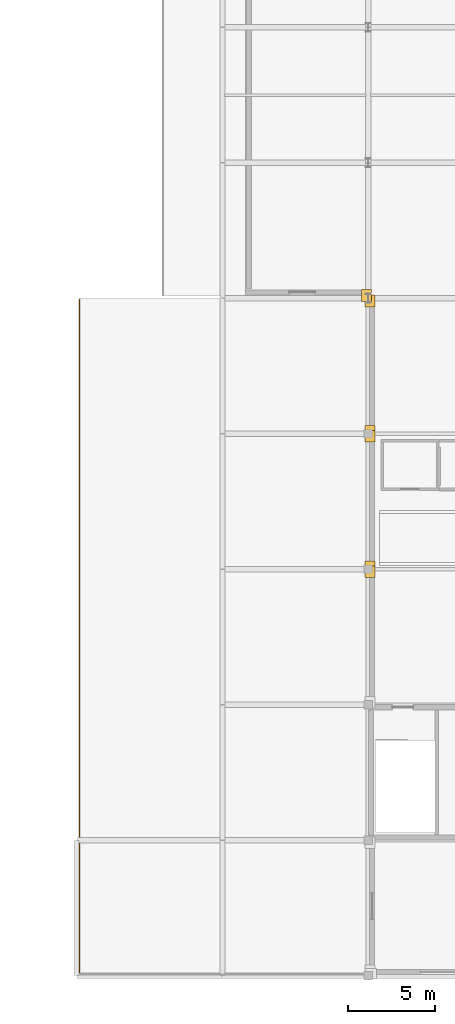
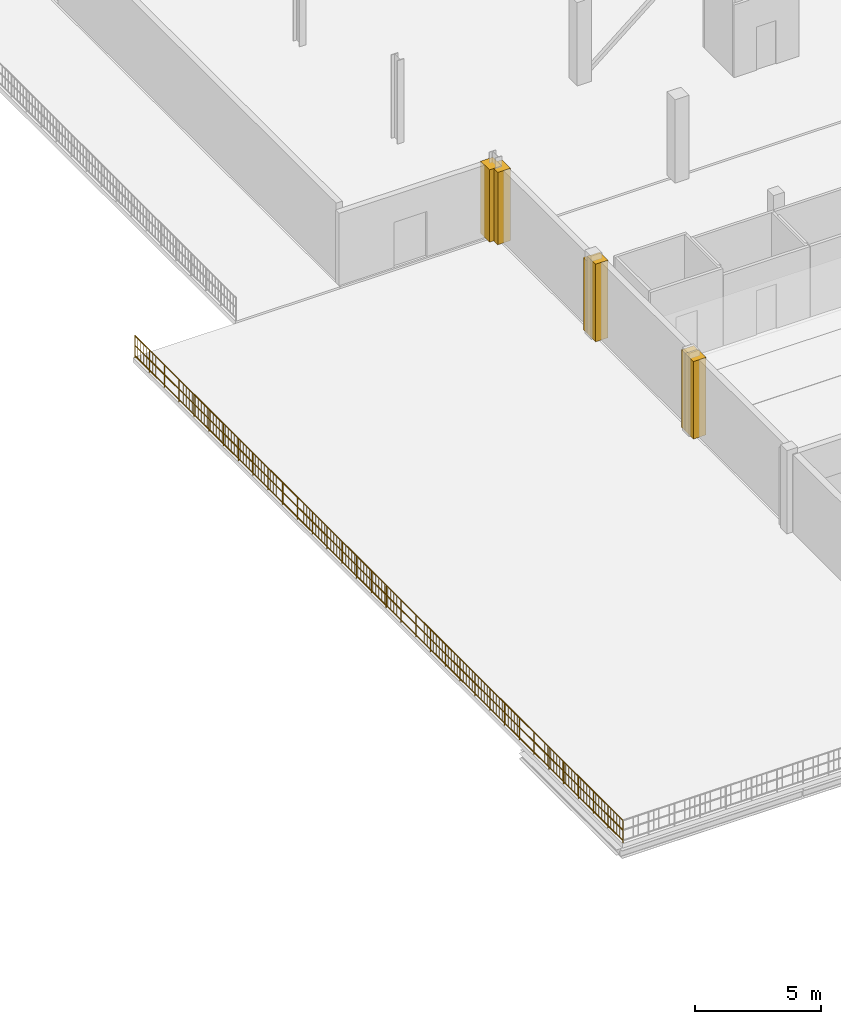
# One storey, part 35 of 41: 6 coverings, 1 railing.
"""IFC4 building model written with IfcOpenShell, lengths in metres."""

from ifc_helpers import new_model, si_unit, direction, frame, origin, origin_2d, place, context, subcontext, project, spatial, polyline, circle, outline, extrude, material, layer, layer_set, type_object, element, save


model = new_model("IFC4")

# Units and contexts
model_context = context("Model", 3, precision=1e-05, world=origin(), true_north=direction((0.0, 1.0)))
body_context = subcontext(model_context, "Body", "Model", "MODEL_VIEW")
ifc_project = project(units=[si_unit("LENGTHUNIT", "METRE"), si_unit("AREAUNIT", "SQUARE_METRE"), si_unit("VOLUMEUNIT", "CUBIC_METRE"), si_unit("PLANEANGLEUNIT", "RADIAN"), si_unit("MASSUNIT", "GRAM", prefix="KILO")], contexts=[model_context])

# Site, building, storey
site_placement = place(None, origin())
site = spatial("IfcSite", under=ifc_project, at=site_placement, CompositionType="ELEMENT")
building_placement = place(site_placement, origin())
building = spatial("IfcBuilding", under=site, at=building_placement, Name="Nabrawat Pavilion Hospital", CompositionType="ELEMENT")
storey_placement = place(building_placement, frame((0.0, 0.0, 18.89990234375)))
storey = spatial("IfcBuildingStorey", under=building, at=storey_placement, Name="L04", CompositionType="ELEMENT", Elevation=18.89990234375)

# Coverings
ifc_material_1 = material(Name="Precast concrete C40/50", Category="concrete")
ifc_layer_1 = layer(ifc_material_1, 0.360107421875, Name="Precast concrete C40/50")
ifc_layer_set_1 = layer_set([ifc_layer_1], Name="Precast concrete C40/50")
covering_type = type_object("IfcCoveringType", Name="Architectural Precast Column-Jamb Closure Reveal", PredefinedType="CLADDING", material=ifc_layer_set_1)
covering_1_placement = place(storey_placement, origin())
element("IfcCovering", 1, at=covering_1_placement, inside=storey, type_object=covering_type, Name="L04 Precast Facade Column-Jamb Weatherseal Closure 0525", PredefinedType="CLADDING", context=body_context, shape_type="SweptSolid", body=[
    extrude(outline(polyline([(142.97998046875, 38.820068359375), (142.97998046875, 39.52001953125), (142.419921875, 39.52001953125), (142.419921875, 38.820068359375), (142.97998046875, 38.820068359375)])), origin(), (0.0, 0.0, 1.0), 3.52001953125),
])
covering_2_placement = place(storey_placement, origin())
element("IfcCovering", 2, at=covering_2_placement, inside=storey, type_object=covering_type, Name="L04 Precast Facade Column-Jamb Weatherseal Closure 0540", PredefinedType="CLADDING", context=body_context, shape_type="SweptSolid", body=[
    extrude(outline(polyline([(143.199951171875, 22.919921875), (143.199951171875, 23.580078125), (142.6201171875, 23.580078125), (142.6201171875, 22.919921875), (143.199951171875, 22.919921875)])), origin(), (0.0, 0.0, 1.0), 3.77001953125),
])
covering_3_placement = place(storey_placement, origin())
element("IfcCovering", 3, at=covering_3_placement, inside=storey, type_object=covering_type, Name="L04 Precast Facade Column-Jamb Weatherseal Closure 0541", PredefinedType="CLADDING", context=body_context, shape_type="SweptSolid", body=[
    extrude(outline(polyline([(143.199951171875, 23.219970703125), (143.199951171875, 23.8798828125), (142.6201171875, 23.8798828125), (142.6201171875, 23.219970703125), (143.199951171875, 23.219970703125)])), origin(), (0.0, 0.0, 1.0), 3.77001953125),
])
covering_4_placement = place(storey_placement, origin())
element("IfcCovering", 4, at=covering_4_placement, inside=storey, type_object=covering_type, Name="L04 Precast Facade Column-Jamb Weatherseal Closure 0542", PredefinedType="CLADDING", context=body_context, shape_type="SweptSolid", body=[
    extrude(outline(polyline([(143.199951171875, 30.719970703125), (143.199951171875, 31.3798828125), (142.6201171875, 31.3798828125), (142.6201171875, 30.719970703125), (143.199951171875, 30.719970703125)])), origin(), (0.0, 0.0, 1.0), 3.77001953125),
])
covering_5_placement = place(storey_placement, origin())
element("IfcCovering", 5, at=covering_5_placement, inside=storey, type_object=covering_type, Name="L04 Precast Facade Column-Jamb Weatherseal Closure 0543", PredefinedType="CLADDING", context=body_context, shape_type="SweptSolid", body=[
    extrude(outline(polyline([(143.199951171875, 31.02001953125), (143.199951171875, 31.679931640625), (142.6201171875, 31.679931640625), (142.6201171875, 31.02001953125), (143.199951171875, 31.02001953125)])), origin(), (0.0, 0.0, 1.0), 3.52001953125),
])
covering_6_placement = place(storey_placement, origin())
element("IfcCovering", 6, at=covering_6_placement, inside=storey, type_object=covering_type, Name="L04 Precast Facade Column-Jamb Weatherseal Closure 0544", PredefinedType="CLADDING", context=body_context, shape_type="SweptSolid", body=[
    extrude(outline(polyline([(143.199951171875, 38.5), (143.199951171875, 39.179931640625), (142.6201171875, 39.179931640625), (142.6201171875, 38.5), (143.199951171875, 38.5)])), origin(), (0.0, 0.0, 1.0), 3.52001953125),
])

# Railing
ifc_material_2 = material(Name="Stainless Steel 316", Category="steel")
ifc_layer_2 = layer(ifc_material_2, 0.070068359375, Name="Stainless Steel 316")
ifc_layer_set_2 = layer_set([ifc_layer_2], Name="Stainless Steel 316")
railing_type = type_object("IfcRailingType", Name="Exterior Clinical Terrace Safety Guardrail 1100", PredefinedType="GUARDRAIL", material=ifc_layer_set_2)
railing_placement = place(storey_placement, frame((126.179931640625, 0.06005859375, 0.0)))
element("IfcRailing", 7, at=railing_placement, inside=storey, type_object=railing_type, Name="L04 Terrace Edge Safety Guardrail T_L04_V5_WEST West", PredefinedType="GUARDRAIL", context=body_context, shape_type="SweptSolid", body=[
    extrude(circle(Radius=0.02392578125, at=origin_2d()), frame((0.0, 0.0, 1.076171875), z_axis=(0.0, 1.0, 0.0), x_axis=(-1.0, 0.0, 0.0)), (0.0, 0.0, 1.0), 38.8798828125),
    extrude(circle(Radius=0.02392578125, at=origin_2d()), frame((0.0, 0.0, 0.10009765625), z_axis=(0.0, 1.0, 0.0), x_axis=(-1.0, 0.0, 0.0)), (0.0, 0.0, 1.0), 38.8798828125),
    extrude(circle(Radius=0.02392578125, at=origin_2d()), frame((0.0, 0.0, 0.60498046875), z_axis=(0.0, 1.0, 0.0), x_axis=(-1.0, 0.0, 0.0)), (0.0, 0.0, 1.0), 38.8798828125),
    extrude(circle(Radius=0.008056640625, at=origin_2d()), frame((0.0, 0.239990234375, 0.10009765625)), (0.0, 0.0, 1.0), 0.951904296875),
    extrude(circle(Radius=0.008056640625, at=origin_2d()), frame((0.0, 0.47998046875, 0.10009765625)), (0.0, 0.0, 1.0), 0.951904296875),
    extrude(circle(Radius=0.008056640625, at=origin_2d()), frame((0.0, 0.719970703125, 0.10009765625)), (0.0, 0.0, 1.0), 0.951904296875),
    extrude(circle(Radius=0.008056640625, at=origin_2d()), frame((0.0, 0.9599609375, 0.10009765625)), (0.0, 0.0, 1.0), 0.951904296875),
    extrude(circle(Radius=0.008056640625, at=origin_2d()), frame((0.0, 1.43994140625, 0.10009765625)), (0.0, 0.0, 1.0), 0.951904296875),
    extrude(circle(Radius=0.008056640625, at=origin_2d()), frame((0.0, 1.679931640625, 0.10009765625)), (0.0, 0.0, 1.0), 0.951904296875),
    extrude(circle(Radius=0.008056640625, at=origin_2d()), frame((0.0, 1.919921875, 0.10009765625)), (0.0, 0.0, 1.0), 0.951904296875),
    extrude(circle(Radius=0.008056640625, at=origin_2d()), frame((0.0, 2.159912109375, 0.10009765625)), (0.0, 0.0, 1.0), 0.951904296875),
    extrude(circle(Radius=0.008056640625, at=origin_2d()), frame((0.0, 2.639892578125, 0.10009765625)), (0.0, 0.0, 1.0), 0.951904296875),
    extrude(circle(Radius=0.008056640625, at=origin_2d()), frame((0.0, 2.8798828125, 0.10009765625)), (0.0, 0.0, 1.0), 0.951904296875),
    extrude(circle(Radius=0.008056640625, at=origin_2d()), frame((0.0, 3.119873046875, 0.10009765625)), (0.0, 0.0, 1.0), 0.951904296875),
    extrude(circle(Radius=0.008056640625, at=origin_2d()), frame((0.0, 3.360107421875, 0.10009765625)), (0.0, 0.0, 1.0), 0.951904296875),
    extrude(circle(Radius=0.008056640625, at=origin_2d()), frame((0.0, 3.60009765625, 0.10009765625)), (0.0, 0.0, 1.0), 0.951904296875),
    extrude(circle(Radius=0.008056640625, at=origin_2d()), frame((0.0, 3.840087890625, 0.10009765625)), (0.0, 0.0, 1.0), 0.951904296875),
    extrude(circle(Radius=0.008056640625, at=origin_2d()), frame((0.0, 4.080078125, 0.10009765625)), (0.0, 0.0, 1.0), 0.951904296875),
    extrude(circle(Radius=0.008056640625, at=origin_2d()), frame((0.0, 4.320068359375, 0.10009765625)), (0.0, 0.0, 1.0), 0.951904296875),
    extrude(circle(Radius=0.008056640625, at=origin_2d()), frame((0.0, 4.56005859375, 0.10009765625)), (0.0, 0.0, 1.0), 0.951904296875),
    extrude(circle(Radius=0.008056640625, at=origin_2d()), frame((0.0, 4.800048828125, 0.10009765625)), (0.0, 0.0, 1.0), 0.951904296875),
    extrude(circle(Radius=0.008056640625, at=origin_2d()), frame((0.0, 5.0400390625, 0.10009765625)), (0.0, 0.0, 1.0), 0.951904296875),
    extrude(circle(Radius=0.008056640625, at=origin_2d()), frame((0.0, 5.280029296875, 0.10009765625)), (0.0, 0.0, 1.0), 0.951904296875),
    extrude(circle(Radius=0.008056640625, at=origin_2d()), frame((0.0, 5.52001953125, 0.10009765625)), (0.0, 0.0, 1.0), 0.951904296875),
    extrude(circle(Radius=0.008056640625, at=origin_2d()), frame((0.0, 5.760009765625, 0.10009765625)), (0.0, 0.0, 1.0), 0.951904296875),
    extrude(circle(Radius=0.008056640625, at=origin_2d()), frame((0.0, 6.0, 0.10009765625)), (0.0, 0.0, 1.0), 0.951904296875),
    extrude(circle(Radius=0.008056640625, at=origin_2d()), frame((0.0, 6.239990234375, 0.10009765625)), (0.0, 0.0, 1.0), 0.951904296875),
    extrude(circle(Radius=0.008056640625, at=origin_2d()), frame((0.0, 6.47998046875, 0.10009765625)), (0.0, 0.0, 1.0), 0.951904296875),
    extrude(circle(Radius=0.008056640625, at=origin_2d()), frame((0.0, 6.719970703125, 0.10009765625)), (0.0, 0.0, 1.0), 0.951904296875),
    extrude(circle(Radius=0.008056640625, at=origin_2d()), frame((0.0, 6.9599609375, 0.10009765625)), (0.0, 0.0, 1.0), 0.951904296875),
    extrude(circle(Radius=0.008056640625, at=origin_2d()), frame((0.0, 7.199951171875, 0.10009765625)), (0.0, 0.0, 1.0), 0.951904296875),
    extrude(circle(Radius=0.008056640625, at=origin_2d()), frame((0.0, 7.43994140625, 0.10009765625)), (0.0, 0.0, 1.0), 0.951904296875),
    extrude(circle(Radius=0.008056640625, at=origin_2d()), frame((0.0, 7.679931640625, 0.10009765625)), (0.0, 0.0, 1.0), 0.951904296875),
    extrude(circle(Radius=0.008056640625, at=origin_2d()), frame((0.0, 7.919921875, 0.10009765625)), (0.0, 0.0, 1.0), 0.951904296875),
    extrude(circle(Radius=0.008056640625, at=origin_2d()), frame((0.0, 8.159912109375, 0.10009765625)), (0.0, 0.0, 1.0), 0.951904296875),
    extrude(circle(Radius=0.008056640625, at=origin_2d()), frame((0.0, 8.39990234375, 0.10009765625)), (0.0, 0.0, 1.0), 0.951904296875),
    extrude(circle(Radius=0.008056640625, at=origin_2d()), frame((0.0, 8.639892578125, 0.10009765625)), (0.0, 0.0, 1.0), 0.951904296875),
    extrude(circle(Radius=0.008056640625, at=origin_2d()), frame((0.0, 8.8798828125, 0.10009765625)), (0.0, 0.0, 1.0), 0.951904296875),
    extrude(circle(Radius=0.008056640625, at=origin_2d()), frame((0.0, 9.119873046875, 0.10009765625)), (0.0, 0.0, 1.0), 0.951904296875),
    extrude(circle(Radius=0.008056640625, at=origin_2d()), frame((0.0, 9.35986328125, 0.10009765625)), (0.0, 0.0, 1.0), 0.951904296875),
    extrude(circle(Radius=0.008056640625, at=origin_2d()), frame((0.0, 9.599853515625, 0.10009765625)), (0.0, 0.0, 1.0), 0.951904296875),
    extrude(circle(Radius=0.008056640625, at=origin_2d()), frame((0.0, 9.840087890625, 0.10009765625)), (0.0, 0.0, 1.0), 0.951904296875),
    extrude(circle(Radius=0.008056640625, at=origin_2d()), frame((0.0, 10.080078125, 0.10009765625)), (0.0, 0.0, 1.0), 0.951904296875),
    extrude(circle(Radius=0.008056640625, at=origin_2d()), frame((0.0, 10.320068359375, 0.10009765625)), (0.0, 0.0, 1.0), 0.951904296875),
    extrude(circle(Radius=0.008056640625, at=origin_2d()), frame((0.0, 10.800048828125, 0.10009765625)), (0.0, 0.0, 1.0), 0.951904296875),
    extrude(circle(Radius=0.008056640625, at=origin_2d()), frame((0.0, 11.0400390625, 0.10009765625)), (0.0, 0.0, 1.0), 0.951904296875),
    extrude(circle(Radius=0.008056640625, at=origin_2d()), frame((0.0, 11.280029296875, 0.10009765625)), (0.0, 0.0, 1.0), 0.951904296875),
    extrude(circle(Radius=0.008056640625, at=origin_2d()), frame((0.0, 11.52001953125, 0.10009765625)), (0.0, 0.0, 1.0), 0.951904296875),
    extrude(circle(Radius=0.008056640625, at=origin_2d()), frame((0.0, 12.0, 0.10009765625)), (0.0, 0.0, 1.0), 0.951904296875),
    extrude(circle(Radius=0.008056640625, at=origin_2d()), frame((0.0, 12.239990234375, 0.10009765625)), (0.0, 0.0, 1.0), 0.951904296875),
    extrude(circle(Radius=0.008056640625, at=origin_2d()), frame((0.0, 12.47998046875, 0.10009765625)), (0.0, 0.0, 1.0), 0.951904296875),
    extrude(circle(Radius=0.008056640625, at=origin_2d()), frame((0.0, 12.719970703125, 0.10009765625)), (0.0, 0.0, 1.0), 0.951904296875),
    extrude(circle(Radius=0.008056640625, at=origin_2d()), frame((0.0, 13.199951171875, 0.10009765625)), (0.0, 0.0, 1.0), 0.951904296875),
    extrude(circle(Radius=0.008056640625, at=origin_2d()), frame((0.0, 13.43994140625, 0.10009765625)), (0.0, 0.0, 1.0), 0.951904296875),
    extrude(circle(Radius=0.008056640625, at=origin_2d()), frame((0.0, 13.679931640625, 0.10009765625)), (0.0, 0.0, 1.0), 0.951904296875),
    extrude(circle(Radius=0.008056640625, at=origin_2d()), frame((0.0, 13.919921875, 0.10009765625)), (0.0, 0.0, 1.0), 0.951904296875),
    extrude(circle(Radius=0.008056640625, at=origin_2d()), frame((0.0, 14.39990234375, 0.10009765625)), (0.0, 0.0, 1.0), 0.951904296875),
    extrude(circle(Radius=0.008056640625, at=origin_2d()), frame((0.0, 14.639892578125, 0.10009765625)), (0.0, 0.0, 1.0), 0.951904296875),
    extrude(circle(Radius=0.008056640625, at=origin_2d()), frame((0.0, 14.8798828125, 0.10009765625)), (0.0, 0.0, 1.0), 0.951904296875),
    extrude(circle(Radius=0.008056640625, at=origin_2d()), frame((0.0, 15.119873046875, 0.10009765625)), (0.0, 0.0, 1.0), 0.951904296875),
    extrude(circle(Radius=0.008056640625, at=origin_2d()), frame((0.0, 15.599853515625, 0.10009765625)), (0.0, 0.0, 1.0), 0.951904296875),
    extrude(circle(Radius=0.008056640625, at=origin_2d()), frame((0.0, 15.83984375, 0.10009765625)), (0.0, 0.0, 1.0), 0.951904296875),
    extrude(circle(Radius=0.008056640625, at=origin_2d()), frame((0.0, 16.079833984375, 0.10009765625)), (0.0, 0.0, 1.0), 0.951904296875),
    extrude(circle(Radius=0.008056640625, at=origin_2d()), frame((0.0, 16.320068359375, 0.10009765625)), (0.0, 0.0, 1.0), 0.951904296875),
    extrude(circle(Radius=0.008056640625, at=origin_2d()), frame((0.0, 16.56005859375, 0.10009765625)), (0.0, 0.0, 1.0), 0.951904296875),
    extrude(circle(Radius=0.008056640625, at=origin_2d()), frame((0.0, 16.800048828125, 0.10009765625)), (0.0, 0.0, 1.0), 0.951904296875),
    extrude(circle(Radius=0.008056640625, at=origin_2d()), frame((0.0, 17.0400390625, 0.10009765625)), (0.0, 0.0, 1.0), 0.951904296875),
    extrude(circle(Radius=0.008056640625, at=origin_2d()), frame((0.0, 17.280029296875, 0.10009765625)), (0.0, 0.0, 1.0), 0.951904296875),
    extrude(circle(Radius=0.008056640625, at=origin_2d()), frame((0.0, 17.52001953125, 0.10009765625)), (0.0, 0.0, 1.0), 0.951904296875),
    extrude(circle(Radius=0.008056640625, at=origin_2d()), frame((0.0, 17.760009765625, 0.10009765625)), (0.0, 0.0, 1.0), 0.951904296875),
    extrude(circle(Radius=0.008056640625, at=origin_2d()), frame((0.0, 18.0, 0.10009765625)), (0.0, 0.0, 1.0), 0.951904296875),
    extrude(circle(Radius=0.008056640625, at=origin_2d()), frame((0.0, 18.239990234375, 0.10009765625)), (0.0, 0.0, 1.0), 0.951904296875),
    extrude(circle(Radius=0.008056640625, at=origin_2d()), frame((0.0, 18.47998046875, 0.10009765625)), (0.0, 0.0, 1.0), 0.951904296875),
    extrude(circle(Radius=0.008056640625, at=origin_2d()), frame((0.0, 18.719970703125, 0.10009765625)), (0.0, 0.0, 1.0), 0.951904296875),
    extrude(circle(Radius=0.008056640625, at=origin_2d()), frame((0.0, 18.9599609375, 0.10009765625)), (0.0, 0.0, 1.0), 0.951904296875),
    extrude(circle(Radius=0.008056640625, at=origin_2d()), frame((0.0, 19.199951171875, 0.10009765625)), (0.0, 0.0, 1.0), 0.951904296875),
    extrude(circle(Radius=0.008056640625, at=origin_2d()), frame((0.0, 19.43994140625, 0.10009765625)), (0.0, 0.0, 1.0), 0.951904296875),
    extrude(circle(Radius=0.008056640625, at=origin_2d()), frame((0.0, 19.679931640625, 0.10009765625)), (0.0, 0.0, 1.0), 0.951904296875),
    extrude(circle(Radius=0.008056640625, at=origin_2d()), frame((0.0, 19.919921875, 0.10009765625)), (0.0, 0.0, 1.0), 0.951904296875),
    extrude(circle(Radius=0.008056640625, at=origin_2d()), frame((0.0, 20.159912109375, 0.10009765625)), (0.0, 0.0, 1.0), 0.951904296875),
    extrude(circle(Radius=0.008056640625, at=origin_2d()), frame((0.0, 20.39990234375, 0.10009765625)), (0.0, 0.0, 1.0), 0.951904296875),
    extrude(circle(Radius=0.008056640625, at=origin_2d()), frame((0.0, 20.639892578125, 0.10009765625)), (0.0, 0.0, 1.0), 0.951904296875),
    extrude(circle(Radius=0.008056640625, at=origin_2d()), frame((0.0, 20.8798828125, 0.10009765625)), (0.0, 0.0, 1.0), 0.951904296875),
    extrude(circle(Radius=0.008056640625, at=origin_2d()), frame((0.0, 21.119873046875, 0.10009765625)), (0.0, 0.0, 1.0), 0.951904296875),
    extrude(circle(Radius=0.008056640625, at=origin_2d()), frame((0.0, 21.35986328125, 0.10009765625)), (0.0, 0.0, 1.0), 0.951904296875),
    extrude(circle(Radius=0.008056640625, at=origin_2d()), frame((0.0, 21.599853515625, 0.10009765625)), (0.0, 0.0, 1.0), 0.951904296875),
    extrude(circle(Radius=0.008056640625, at=origin_2d()), frame((0.0, 21.83984375, 0.10009765625)), (0.0, 0.0, 1.0), 0.951904296875),
    extrude(circle(Radius=0.008056640625, at=origin_2d()), frame((0.0, 22.079833984375, 0.10009765625)), (0.0, 0.0, 1.0), 0.951904296875),
    extrude(circle(Radius=0.008056640625, at=origin_2d()), frame((0.0, 22.31982421875, 0.10009765625)), (0.0, 0.0, 1.0), 0.951904296875),
    extrude(circle(Radius=0.008056640625, at=origin_2d()), frame((0.0, 22.559814453125, 0.10009765625)), (0.0, 0.0, 1.0), 0.951904296875),
    extrude(circle(Radius=0.008056640625, at=origin_2d()), frame((0.0, 22.800048828125, 0.10009765625)), (0.0, 0.0, 1.0), 0.951904296875),
    extrude(circle(Radius=0.008056640625, at=origin_2d()), frame((0.0, 23.0400390625, 0.10009765625)), (0.0, 0.0, 1.0), 0.951904296875),
    extrude(circle(Radius=0.008056640625, at=origin_2d()), frame((0.0, 23.280029296875, 0.10009765625)), (0.0, 0.0, 1.0), 0.951904296875),
    extrude(circle(Radius=0.008056640625, at=origin_2d()), frame((0.0, 23.760009765625, 0.10009765625)), (0.0, 0.0, 1.0), 0.951904296875),
    extrude(circle(Radius=0.008056640625, at=origin_2d()), frame((0.0, 24.0, 0.10009765625)), (0.0, 0.0, 1.0), 0.951904296875),
    extrude(circle(Radius=0.008056640625, at=origin_2d()), frame((0.0, 24.239990234375, 0.10009765625)), (0.0, 0.0, 1.0), 0.951904296875),
    extrude(circle(Radius=0.008056640625, at=origin_2d()), frame((0.0, 24.47998046875, 0.10009765625)), (0.0, 0.0, 1.0), 0.951904296875),
    extrude(circle(Radius=0.008056640625, at=origin_2d()), frame((0.0, 24.9599609375, 0.10009765625)), (0.0, 0.0, 1.0), 0.951904296875),
    extrude(circle(Radius=0.008056640625, at=origin_2d()), frame((0.0, 25.199951171875, 0.10009765625)), (0.0, 0.0, 1.0), 0.951904296875),
    extrude(circle(Radius=0.008056640625, at=origin_2d()), frame((0.0, 25.43994140625, 0.10009765625)), (0.0, 0.0, 1.0), 0.951904296875),
    extrude(circle(Radius=0.008056640625, at=origin_2d()), frame((0.0, 25.679931640625, 0.10009765625)), (0.0, 0.0, 1.0), 0.951904296875),
    extrude(circle(Radius=0.008056640625, at=origin_2d()), frame((0.0, 26.159912109375, 0.10009765625)), (0.0, 0.0, 1.0), 0.951904296875),
    extrude(circle(Radius=0.008056640625, at=origin_2d()), frame((0.0, 26.39990234375, 0.10009765625)), (0.0, 0.0, 1.0), 0.951904296875),
    extrude(circle(Radius=0.008056640625, at=origin_2d()), frame((0.0, 26.639892578125, 0.10009765625)), (0.0, 0.0, 1.0), 0.951904296875),
    extrude(circle(Radius=0.008056640625, at=origin_2d()), frame((0.0, 26.8798828125, 0.10009765625)), (0.0, 0.0, 1.0), 0.951904296875),
    extrude(circle(Radius=0.008056640625, at=origin_2d()), frame((0.0, 27.35986328125, 0.10009765625)), (0.0, 0.0, 1.0), 0.951904296875),
    extrude(circle(Radius=0.008056640625, at=origin_2d()), frame((0.0, 27.599853515625, 0.10009765625)), (0.0, 0.0, 1.0), 0.951904296875),
    extrude(circle(Radius=0.008056640625, at=origin_2d()), frame((0.0, 27.83984375, 0.10009765625)), (0.0, 0.0, 1.0), 0.951904296875),
    extrude(circle(Radius=0.008056640625, at=origin_2d()), frame((0.0, 28.079833984375, 0.10009765625)), (0.0, 0.0, 1.0), 0.951904296875),
    extrude(circle(Radius=0.008056640625, at=origin_2d()), frame((0.0, 28.559814453125, 0.10009765625)), (0.0, 0.0, 1.0), 0.951904296875),
    extrude(circle(Radius=0.008056640625, at=origin_2d()), frame((0.0, 28.7998046875, 0.10009765625)), (0.0, 0.0, 1.0), 0.951904296875),
    extrude(circle(Radius=0.008056640625, at=origin_2d()), frame((0.0, 29.039794921875, 0.10009765625)), (0.0, 0.0, 1.0), 0.951904296875),
    extrude(circle(Radius=0.008056640625, at=origin_2d()), frame((0.0, 29.280029296875, 0.10009765625)), (0.0, 0.0, 1.0), 0.951904296875),
    extrude(circle(Radius=0.008056640625, at=origin_2d()), frame((0.0, 29.52001953125, 0.10009765625)), (0.0, 0.0, 1.0), 0.951904296875),
    extrude(circle(Radius=0.008056640625, at=origin_2d()), frame((0.0, 29.760009765625, 0.10009765625)), (0.0, 0.0, 1.0), 0.951904296875),
    extrude(circle(Radius=0.008056640625, at=origin_2d()), frame((0.0, 30.0, 0.10009765625)), (0.0, 0.0, 1.0), 0.951904296875),
    extrude(circle(Radius=0.008056640625, at=origin_2d()), frame((0.0, 30.239990234375, 0.10009765625)), (0.0, 0.0, 1.0), 0.951904296875),
    extrude(circle(Radius=0.008056640625, at=origin_2d()), frame((0.0, 30.47998046875, 0.10009765625)), (0.0, 0.0, 1.0), 0.951904296875),
    extrude(circle(Radius=0.008056640625, at=origin_2d()), frame((0.0, 30.719970703125, 0.10009765625)), (0.0, 0.0, 1.0), 0.951904296875),
    extrude(circle(Radius=0.008056640625, at=origin_2d()), frame((0.0, 30.9599609375, 0.10009765625)), (0.0, 0.0, 1.0), 0.951904296875),
    extrude(circle(Radius=0.008056640625, at=origin_2d()), frame((0.0, 31.199951171875, 0.10009765625)), (0.0, 0.0, 1.0), 0.951904296875),
    extrude(circle(Radius=0.008056640625, at=origin_2d()), frame((0.0, 31.43994140625, 0.10009765625)), (0.0, 0.0, 1.0), 0.951904296875),
    extrude(circle(Radius=0.008056640625, at=origin_2d()), frame((0.0, 31.679931640625, 0.10009765625)), (0.0, 0.0, 1.0), 0.951904296875),
    extrude(circle(Radius=0.008056640625, at=origin_2d()), frame((0.0, 31.919921875, 0.10009765625)), (0.0, 0.0, 1.0), 0.951904296875),
    extrude(circle(Radius=0.008056640625, at=origin_2d()), frame((0.0, 32.159912109375, 0.10009765625)), (0.0, 0.0, 1.0), 0.951904296875),
    extrude(circle(Radius=0.008056640625, at=origin_2d()), frame((0.0, 32.39990234375, 0.10009765625)), (0.0, 0.0, 1.0), 0.951904296875),
    extrude(circle(Radius=0.008056640625, at=origin_2d()), frame((0.0, 32.639892578125, 0.10009765625)), (0.0, 0.0, 1.0), 0.951904296875),
    extrude(circle(Radius=0.008056640625, at=origin_2d()), frame((0.0, 32.8798828125, 0.10009765625)), (0.0, 0.0, 1.0), 0.951904296875),
    extrude(circle(Radius=0.008056640625, at=origin_2d()), frame((0.0, 33.119873046875, 0.10009765625)), (0.0, 0.0, 1.0), 0.951904296875),
    extrude(circle(Radius=0.008056640625, at=origin_2d()), frame((0.0, 33.35986328125, 0.10009765625)), (0.0, 0.0, 1.0), 0.951904296875),
    extrude(circle(Radius=0.008056640625, at=origin_2d()), frame((0.0, 33.599853515625, 0.10009765625)), (0.0, 0.0, 1.0), 0.951904296875),
    extrude(circle(Radius=0.008056640625, at=origin_2d()), frame((0.0, 33.83984375, 0.10009765625)), (0.0, 0.0, 1.0), 0.951904296875),
    extrude(circle(Radius=0.008056640625, at=origin_2d()), frame((0.0, 34.079833984375, 0.10009765625)), (0.0, 0.0, 1.0), 0.951904296875),
    extrude(circle(Radius=0.008056640625, at=origin_2d()), frame((0.0, 34.31982421875, 0.10009765625)), (0.0, 0.0, 1.0), 0.951904296875),
    extrude(circle(Radius=0.008056640625, at=origin_2d()), frame((0.0, 34.559814453125, 0.10009765625)), (0.0, 0.0, 1.0), 0.951904296875),
    extrude(circle(Radius=0.008056640625, at=origin_2d()), frame((0.0, 34.7998046875, 0.10009765625)), (0.0, 0.0, 1.0), 0.951904296875),
    extrude(circle(Radius=0.008056640625, at=origin_2d()), frame((0.0, 35.039794921875, 0.10009765625)), (0.0, 0.0, 1.0), 0.951904296875),
    extrude(circle(Radius=0.008056640625, at=origin_2d()), frame((0.0, 35.27978515625, 0.10009765625)), (0.0, 0.0, 1.0), 0.951904296875),
    extrude(circle(Radius=0.008056640625, at=origin_2d()), frame((0.0, 35.519775390625, 0.10009765625)), (0.0, 0.0, 1.0), 0.951904296875),
    extrude(circle(Radius=0.008056640625, at=origin_2d()), frame((0.0, 35.760009765625, 0.10009765625)), (0.0, 0.0, 1.0), 0.951904296875),
    extrude(circle(Radius=0.008056640625, at=origin_2d()), frame((0.0, 36.0, 0.10009765625)), (0.0, 0.0, 1.0), 0.951904296875),
    extrude(circle(Radius=0.008056640625, at=origin_2d()), frame((0.0, 36.239990234375, 0.10009765625)), (0.0, 0.0, 1.0), 0.951904296875),
    extrude(circle(Radius=0.008056640625, at=origin_2d()), frame((0.0, 36.719970703125, 0.10009765625)), (0.0, 0.0, 1.0), 0.951904296875),
    extrude(circle(Radius=0.008056640625, at=origin_2d()), frame((0.0, 36.9599609375, 0.10009765625)), (0.0, 0.0, 1.0), 0.951904296875),
    extrude(circle(Radius=0.008056640625, at=origin_2d()), frame((0.0, 37.199951171875, 0.10009765625)), (0.0, 0.0, 1.0), 0.951904296875),
    extrude(circle(Radius=0.008056640625, at=origin_2d()), frame((0.0, 37.43994140625, 0.10009765625)), (0.0, 0.0, 1.0), 0.951904296875),
    extrude(circle(Radius=0.008056640625, at=origin_2d()), frame((0.0, 37.919921875, 0.10009765625)), (0.0, 0.0, 1.0), 0.951904296875),
    extrude(circle(Radius=0.008056640625, at=origin_2d()), frame((0.0, 38.159912109375, 0.10009765625)), (0.0, 0.0, 1.0), 0.951904296875),
    extrude(circle(Radius=0.008056640625, at=origin_2d()), frame((0.0, 38.39990234375, 0.10009765625)), (0.0, 0.0, 1.0), 0.951904296875),
    extrude(circle(Radius=0.008056640625, at=origin_2d()), frame((0.0, 38.639892578125, 0.10009765625)), (0.0, 0.0, 1.0), 0.951904296875),
    extrude(circle(Radius=0.02099609375, at=origin_2d()), origin(), (0.0, 0.0, 1.0), 1.052001953125),
    extrude(circle(Radius=0.02099609375, at=origin_2d()), frame((0.0, 1.17822265625, 0.0)), (0.0, 0.0, 1.0), 1.052001953125),
    extrude(circle(Radius=0.02099609375, at=origin_2d()), frame((0.0, 2.3564453125, 0.0)), (0.0, 0.0, 1.0), 1.052001953125),
    extrude(circle(Radius=0.02099609375, at=origin_2d()), frame((0.0, 3.534423828125, 0.0)), (0.0, 0.0, 1.0), 1.052001953125),
    extrude(circle(Radius=0.02099609375, at=origin_2d()), frame((0.0, 4.712646484375, 0.0)), (0.0, 0.0, 1.0), 1.052001953125),
    extrude(circle(Radius=0.02099609375, at=origin_2d()), frame((0.0, 5.890869140625, 0.0)), (0.0, 0.0, 1.0), 1.052001953125),
    extrude(circle(Radius=0.02099609375, at=origin_2d()), frame((0.0, 7.069091796875, 0.0)), (0.0, 0.0, 1.0), 1.052001953125),
    extrude(circle(Radius=0.02099609375, at=origin_2d()), frame((0.0, 8.247314453125, 0.0)), (0.0, 0.0, 1.0), 1.052001953125),
    extrude(circle(Radius=0.02099609375, at=origin_2d()), frame((0.0, 9.425537109375, 0.0)), (0.0, 0.0, 1.0), 1.052001953125),
    extrude(circle(Radius=0.02099609375, at=origin_2d()), frame((0.0, 10.603515625, 0.0)), (0.0, 0.0, 1.0), 1.052001953125),
    extrude(circle(Radius=0.02099609375, at=origin_2d()), frame((0.0, 11.78173828125, 0.0)), (0.0, 0.0, 1.0), 1.052001953125),
    extrude(circle(Radius=0.02099609375, at=origin_2d()), frame((0.0, 12.9599609375, 0.0)), (0.0, 0.0, 1.0), 1.052001953125),
    extrude(circle(Radius=0.02099609375, at=origin_2d()), frame((0.0, 14.13818359375, 0.0)), (0.0, 0.0, 1.0), 1.052001953125),
    extrude(circle(Radius=0.02099609375, at=origin_2d()), frame((0.0, 15.31640625, 0.0)), (0.0, 0.0, 1.0), 1.052001953125),
    extrude(circle(Radius=0.02099609375, at=origin_2d()), frame((0.0, 16.494384765625, 0.0)), (0.0, 0.0, 1.0), 1.052001953125),
    extrude(circle(Radius=0.02099609375, at=origin_2d()), frame((0.0, 17.672607421875, 0.0)), (0.0, 0.0, 1.0), 1.052001953125),
    extrude(circle(Radius=0.02099609375, at=origin_2d()), frame((0.0, 18.850830078125, 0.0)), (0.0, 0.0, 1.0), 1.052001953125),
    extrude(circle(Radius=0.02099609375, at=origin_2d()), frame((0.0, 20.029052734375, 0.0)), (0.0, 0.0, 1.0), 1.052001953125),
    extrude(circle(Radius=0.02099609375, at=origin_2d()), frame((0.0, 21.207275390625, 0.0)), (0.0, 0.0, 1.0), 1.052001953125),
    extrude(circle(Radius=0.02099609375, at=origin_2d()), frame((0.0, 22.385498046875, 0.0)), (0.0, 0.0, 1.0), 1.052001953125),
    extrude(circle(Radius=0.02099609375, at=origin_2d()), frame((0.0, 23.5634765625, 0.0)), (0.0, 0.0, 1.0), 1.052001953125),
    extrude(circle(Radius=0.02099609375, at=origin_2d()), frame((0.0, 24.74169921875, 0.0)), (0.0, 0.0, 1.0), 1.052001953125),
    extrude(circle(Radius=0.02099609375, at=origin_2d()), frame((0.0, 25.919921875, 0.0)), (0.0, 0.0, 1.0), 1.052001953125),
    extrude(circle(Radius=0.02099609375, at=origin_2d()), frame((0.0, 27.09814453125, 0.0)), (0.0, 0.0, 1.0), 1.052001953125),
    extrude(circle(Radius=0.02099609375, at=origin_2d()), frame((0.0, 28.2763671875, 0.0)), (0.0, 0.0, 1.0), 1.052001953125),
    extrude(circle(Radius=0.02099609375, at=origin_2d()), frame((0.0, 29.454345703125, 0.0)), (0.0, 0.0, 1.0), 1.052001953125),
    extrude(circle(Radius=0.02099609375, at=origin_2d()), frame((0.0, 30.632568359375, 0.0)), (0.0, 0.0, 1.0), 1.052001953125),
    extrude(circle(Radius=0.02099609375, at=origin_2d()), frame((0.0, 31.810791015625, 0.0)), (0.0, 0.0, 1.0), 1.052001953125),
    extrude(circle(Radius=0.02099609375, at=origin_2d()), frame((0.0, 32.989013671875, 0.0)), (0.0, 0.0, 1.0), 1.052001953125),
    extrude(circle(Radius=0.02099609375, at=origin_2d()), frame((0.0, 34.167236328125, 0.0)), (0.0, 0.0, 1.0), 1.052001953125),
    extrude(circle(Radius=0.02099609375, at=origin_2d()), frame((0.0, 35.345458984375, 0.0)), (0.0, 0.0, 1.0), 1.052001953125),
    extrude(circle(Radius=0.02099609375, at=origin_2d()), frame((0.0, 36.5234375, 0.0)), (0.0, 0.0, 1.0), 1.052001953125),
    extrude(circle(Radius=0.02099609375, at=origin_2d()), frame((0.0, 37.70166015625, 0.0)), (0.0, 0.0, 1.0), 1.052001953125),
    extrude(circle(Radius=0.02099609375, at=origin_2d()), frame((0.0, 38.8798828125, 0.0)), (0.0, 0.0, 1.0), 1.052001953125),
])

save(model, "model.ifc")
